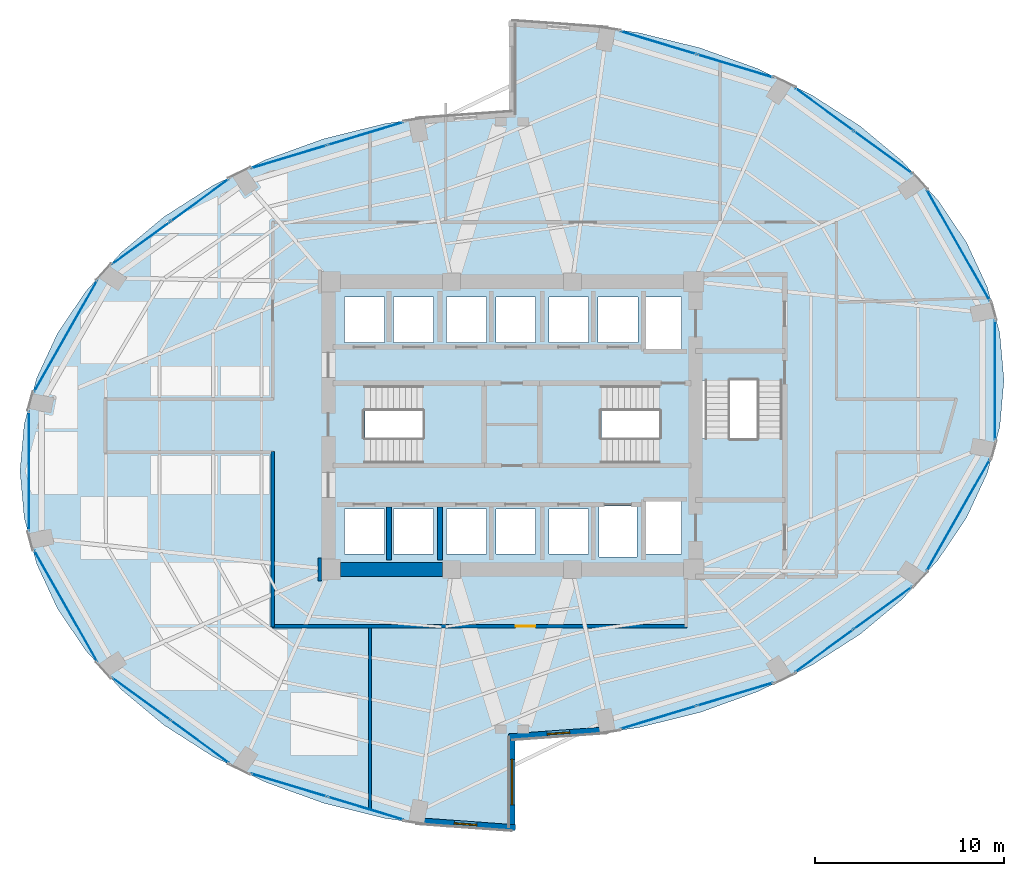
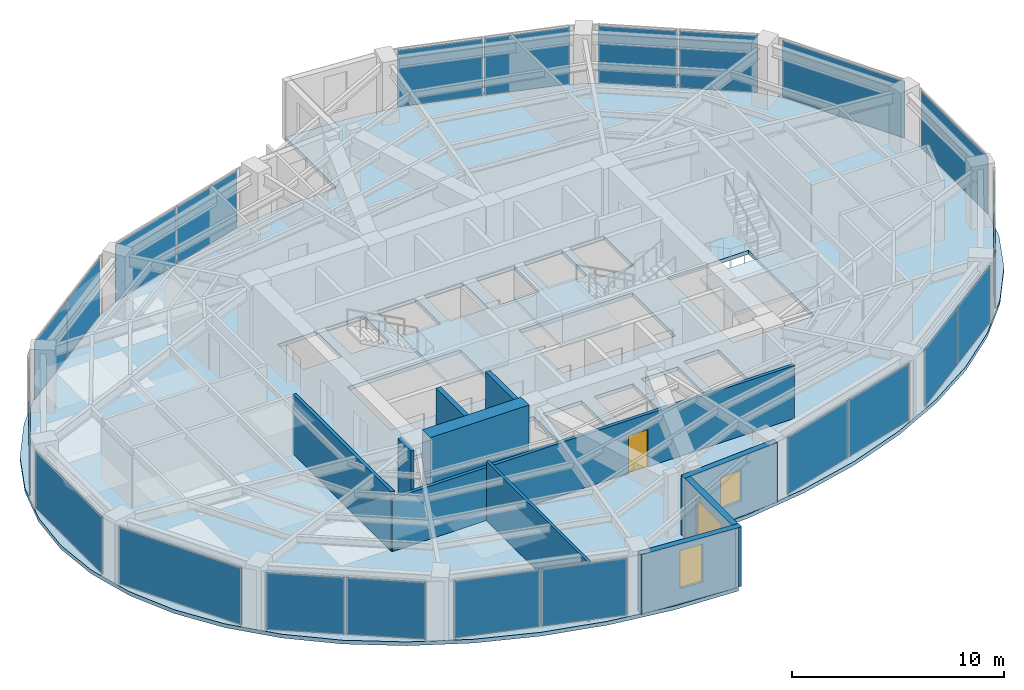
# One storey, part 18 of 23: 22 plates, 10 walls, 4 slabs, 3 windows, 1 door, 4 openings, 17 elements without a shape of their own.
"""IFC4 building model written with IfcOpenShell, lengths in metres."""

import ifcopenshell
import ifcopenshell.guid

model = None  # the IFC model being written
_history = None  # IfcOwnerHistory: only IFC2X3 demands one
_inside = {}  # id of a spatial element -> (the spatial element, [elements in it])
_under = {}  # id of a project, library or spatial element -> (it, [spatial elements below it])
_declared = {}  # id of a project -> (the project, [libraries it declares])
_typed = {}  # id of a type object -> (the type object, [elements of that type])
_made_of = {}  # id of a material, layer set ... -> (it, [elements and type objects made of it])


def new_model(schema):
    """Start an empty IFC model of exactly this schema.

    Asked for "IFC4X3", IfcOpenShell would pick the latest addendum, in which some entities
    have other attributes; the version numbers below select the first issue.
    IFC2X3 requires an IfcOwnerHistory on every rooted entity: one is made here for all.
    """
    global model, _history
    if schema == "IFC4X3":
        model = ifcopenshell.file(schema_version=(4, 3, 0, 0))
    else:
        model = ifcopenshell.file(schema=schema)
    _inside.clear()
    _under.clear()
    _declared.clear()
    _typed.clear()
    _made_of.clear()
    _history = None
    if model.schema == "IFC2X3":
        org = make("IfcOrganization", Name="unknown")
        user = make(
            "IfcPersonAndOrganization",
            ThePerson=make("IfcPerson", FamilyName="unknown"),
            TheOrganization=org,
        )
        app = make(
            "IfcApplication",
            ApplicationDeveloper=org,
            Version="unknown",
            ApplicationFullName="unknown",
            ApplicationIdentifier="unknown",
        )
        _history = make(
            "IfcOwnerHistory",
            OwningUser=user,
            OwningApplication=app,
            ChangeAction="ADDED",
            CreationDate=0,
        )
    return model


def make(cls, **values):
    """One entity of the class cls with the attributes given. An attribute that is None is left unset."""
    return model.create_entity(
        cls, **{name: value for name, value in values.items() if value is not None}
    )


def rooted(cls, **values):
    """An entity with a GlobalId (a new one), such as an element, a storey or a relation."""
    return make(cls, GlobalId=ifcopenshell.guid.new(), OwnerHistory=_history, **values)


def si_unit(unit_type, name, prefix=None):
    """IfcSIUnit, for example si_unit("LENGTHUNIT", "METRE", prefix="MILLI")."""
    return make("IfcSIUnit", UnitType=unit_type, Prefix=prefix, Name=name)


def assignment(units):
    """IfcUnitAssignment: the units of a project."""
    return None if units is None else make("IfcUnitAssignment", Units=units)


def point(xyz):
    """IfcCartesianPoint."""
    return None if xyz is None else make("IfcCartesianPoint", Coordinates=xyz)


def direction(xyz):
    """IfcDirection."""
    return None if xyz is None else make("IfcDirection", DirectionRatios=xyz)


def frame(location, z_axis=None, x_axis=None):
    """IfcAxis2Placement3D, a coordinate frame: its origin and axes. An axis left out is left unset."""
    return make(
        "IfcAxis2Placement3D",
        Location=point(location),
        Axis=direction(z_axis),
        RefDirection=direction(x_axis),
    )


def frame_2d(location, x_axis=None):
    """IfcAxis2Placement2D, a coordinate frame in the plane: its origin and x axis."""
    return make(
        "IfcAxis2Placement2D", Location=point(location), RefDirection=direction(x_axis)
    )


def origin():
    """The frame at (0, 0, 0) with its axes left unset."""
    return frame((0.0, 0.0, 0.0))


def origin_2d():
    """The frame at (0, 0) in the plane with its x axis left unset."""
    return frame_2d((0.0, 0.0))


def place(relative_to, where):
    """IfcLocalPlacement: puts the frame where relative to a parent placement (None: the world)."""
    return make(
        "IfcLocalPlacement", PlacementRelTo=relative_to, RelativePlacement=where
    )


def context(
    kind, dimensions, precision=None, world=None, true_north=None, identifier=None
):
    """IfcGeometricRepresentationContext, for example the 3D "Model" context."""
    return make(
        "IfcGeometricRepresentationContext",
        ContextIdentifier=identifier,
        ContextType=kind,
        CoordinateSpaceDimension=dimensions,
        Precision=precision,
        WorldCoordinateSystem=world,
        TrueNorth=true_north,
    )


def subcontext(parent, identifier, kind, view, scale=None):
    """IfcGeometricRepresentationSubContext, for example "Body" below "Model"."""
    return make(
        "IfcGeometricRepresentationSubContext",
        ContextIdentifier=identifier,
        ContextType=kind,
        ParentContext=parent,
        TargetScale=scale,
        TargetView=view,
    )


def project(units=None, contexts=None):
    """IfcProject with its units and contexts."""
    return rooted(
        "IfcProject",
        Name="project",
        RepresentationContexts=contexts,
        UnitsInContext=assignment(units),
    )


def spatial(cls, under=None, at=None, **own):
    """A site, building, storey or space (cls), placed at a placement, below another one or the project."""
    s = rooted(cls, ObjectPlacement=at, **own)
    if under is not None:
        _under.setdefault(under.id(), (under, []))[1].append(s)
    return s


def polyline(points):
    """IfcPolyline through the points."""
    return make("IfcPolyline", Points=[point(p) for p in points])


def profile(cls, at=None, kind="AREA", **sizes):
    """A parametric profile (cls). Its sizes go by their IFC names, for example OverallWidth=200.0."""
    return make(cls, ProfileType=kind, Position=at, **sizes)


def rectangle(**sizes):
    """IfcRectangleProfileDef."""
    return profile("IfcRectangleProfileDef", **sizes)


def outline(outer, holes=None, kind="AREA"):
    """IfcArbitraryClosedProfileDef: a profile drawn as a closed curve; with holes, ...WithVoids."""
    if holes is None:
        return make("IfcArbitraryClosedProfileDef", ProfileType=kind, OuterCurve=outer)
    return make(
        "IfcArbitraryProfileDefWithVoids",
        ProfileType=kind,
        OuterCurve=outer,
        InnerCurves=holes,
    )


def extrude(swept, where, along, depth):
    """IfcExtrudedAreaSolid: the profile swept, set in the frame where, extruded along a direction by depth."""
    return make(
        "IfcExtrudedAreaSolid",
        SweptArea=swept,
        Position=where,
        ExtrudedDirection=direction(along),
        Depth=depth,
    )


def shape(context_of_items, identifier, shape_type, items):
    """IfcShapeRepresentation: the items that make up one representation, for example the "Body"."""
    return make(
        "IfcShapeRepresentation",
        ContextOfItems=context_of_items,
        RepresentationIdentifier=identifier,
        RepresentationType=shape_type,
        Items=items,
    )


def material(Name=None, Category=None):
    """IfcMaterial."""
    return make("IfcMaterial", Name=Name, Category=Category)


def layer(
    of_material, thickness, ventilated=None, Name=None, Category=None, Priority=None
):
    """IfcMaterialLayer: one layer of a wall or slab, of a material (None: an air gap)."""
    return make(
        "IfcMaterialLayer",
        Material=of_material,
        LayerThickness=thickness,
        IsVentilated=ventilated,
        Name=Name,
        Category=Category,
        Priority=Priority,
    )


def layer_set(layers, Name=None):
    """IfcMaterialLayerSet."""
    return make("IfcMaterialLayerSet", MaterialLayers=layers, LayerSetName=Name)


def made_of(thing, what):
    """Note that an element or type object is made of a material, layer set ...; save() writes the relation."""
    if what is not None:
        _made_of.setdefault(what.id(), (what, []))[1].append(thing)
    return thing


def type_object(cls, material=None, **own):
    """A type object (cls), such as IfcWallType, which elements share."""
    return made_of(rooted(cls, **own), material)


def element(
    cls,
    number,
    at=None,
    inside=None,
    cuts=None,
    type_object=None,
    material=None,
    context=None,
    identifier="Body",
    shape_type=None,
    held_by="IfcProductDefinitionShape",
    body=None,
    shapes=None,
    **own,
):
    """One element of the class cls, such as IfcWall. Its Tag is "e" and its number.

    at: its placement. inside: the storey or other place that contains it. cuts: it is an
    opening in that element (IfcRelVoidsElement). A single representation is given by context,
    identifier, shape_type and body (its items); several are given by shapes. held_by: the class
    of the entity that holds the representations. save() writes the other relations.
    """
    e = rooted(cls, Tag="e%d" % number, ObjectPlacement=at, **own)
    if body is not None:
        shapes = [shape(context, identifier, shape_type, body)]
    if shapes is not None:
        e.Representation = make(held_by, Representations=shapes)
    if inside is not None:
        _inside.setdefault(inside.id(), (inside, []))[1].append(e)
    if cuts is not None:
        rooted(
            "IfcRelVoidsElement", RelatingBuildingElement=cuts, RelatedOpeningElement=e
        )
    if type_object is not None:
        _typed.setdefault(type_object.id(), (type_object, []))[1].append(e)
    return made_of(e, material)


def fill(opening, filler):
    """IfcRelFillsElement: the door or window that sits in an opening."""
    return rooted(
        "IfcRelFillsElement",
        RelatingOpeningElement=opening,
        RelatedBuildingElement=filler,
    )


def aggregate(whole, parts):
    """IfcRelAggregates: a whole, such as a stair, and the parts it consists of."""
    return rooted("IfcRelAggregates", RelatingObject=whole, RelatedObjects=parts)


def save(model, path):
    """Write the relations noted so far, then the file.

    IfcRelAggregates (storeys below a building ...), IfcRelContainedInSpatialStructure (elements
    in a storey), IfcRelDefinesByType, IfcRelAssociatesMaterial and IfcRelDeclares: one each for
    every whole, place, type object, material and project.
    """
    for whole, parts in _under.values():
        aggregate(whole, parts)
    for where, things in _inside.values():
        rooted(
            "IfcRelContainedInSpatialStructure",
            RelatedElements=things,
            RelatingStructure=where,
        )
    for kind, things in _typed.values():
        rooted("IfcRelDefinesByType", RelatedObjects=things, RelatingType=kind)
    for what, things in _made_of.values():
        rooted("IfcRelAssociatesMaterial", RelatedObjects=things, RelatingMaterial=what)
    for by, libraries in _declared.values():
        rooted("IfcRelDeclares", RelatingContext=by, RelatedDefinitions=libraries)
    model.write(path)


model = new_model("IFC4")

# Units and contexts
model_context = context("Model", 3, precision=1e-05, world=origin(), true_north=direction((0.0, 1.0)))
body_context = subcontext(model_context, "Body", "Model", "MODEL_VIEW")
ifc_project = project(units=[si_unit("LENGTHUNIT", "METRE"), si_unit("AREAUNIT", "SQUARE_METRE"), si_unit("VOLUMEUNIT", "CUBIC_METRE"), si_unit("PLANEANGLEUNIT", "RADIAN"), si_unit("MASSUNIT", "GRAM", prefix="KILO")], contexts=[model_context])

# Site, building, storey
site_placement = place(None, origin())
site = spatial("IfcSite", under=ifc_project, at=site_placement, CompositionType="ELEMENT")
building_placement = place(site_placement, origin())
building = spatial("IfcBuilding", under=site, at=building_placement, Name="Lazwardi Medical Tower", CompositionType="ELEMENT")
storey_placement = place(building_placement, frame((0.0, 0.0, 125.52001953125)))
storey = spatial("IfcBuildingStorey", under=building, at=storey_placement, Name="L32", CompositionType="ELEMENT", Elevation=125.52001953125)

# Curtain wall, plates
ifc_material_1 = material(Name="Anodised bronze aluminium and solar control glazing", Category="aluminium")
ifc_layer_1 = layer(ifc_material_1, 0.195068359375)
ifc_layer_set_1 = layer_set([ifc_layer_1], Name="Anodised bronze aluminium and solar control glazing")
curtain_wall_type = type_object("IfcCurtainWallType", Name="CW-SYS-03", PredefinedType="NOTDEFINED", material=ifc_layer_set_1)
curtain_wall_1_placement = place(storey_placement, origin())
curtain_wall_1 = element("IfcCurtainWall", 1, at=curtain_wall_1_placement, inside=storey, type_object=curtain_wall_type, Name="L32 Unitised bronze curtain wall CW-03", PredefinedType="NOTDEFINED")
ifc_material_2 = material(Name="Low-e bronze solar control double glazing", Category="glass")
ifc_layer_2 = layer(ifc_material_2, 0.035888671875)
ifc_layer_set_2 = layer_set([ifc_layer_2], Name="Low-e bronze solar control double glazing")
plate_type = type_object("IfcPlateType", Name="PLT-GLZ-01", PredefinedType="CURTAIN_PANEL", material=ifc_layer_set_2)
plate_1_placement = place(storey_placement, frame((43.73974609375, 12.573486328125, 0.07470703125), z_axis=(0.0, 0.0, 1.0), x_axis=(0.957216170558, 0.28937381157, 0.0)))
plate_1 = element("IfcPlate", 2, at=plate_1_placement, type_object=plate_type, Name="CW-03 panel 1.1", PredefinedType="CURTAIN_PANEL", context=body_context, shape_type="SweptSolid", body=[
    extrude(rectangle(XDim=4.16552734375, YDim=0.035888671875, at=origin_2d()), origin(), (0.0, 0.0, 1.0), 3.278076171875),
])
plate_2_placement = place(storey_placement, frame((47.798828125, 13.800537109375, 0.07470703125), z_axis=(0.0, 0.0, 1.0), x_axis=(0.957216170558, 0.28937381157, 0.0)))
plate_2 = element("IfcPlate", 3, at=plate_2_placement, type_object=plate_type, Name="CW-03 panel 2.1", PredefinedType="CURTAIN_PANEL", context=body_context, shape_type="SweptSolid", body=[
    extrude(rectangle(XDim=4.16552734375, YDim=0.035888671875, at=origin_2d()), origin(), (0.0, 0.0, 1.0), 3.278076171875),
])
aggregate(curtain_wall_1, [plate_1, plate_2])

curtain_wall_2_placement = place(storey_placement, origin())
curtain_wall_2 = element("IfcCurtainWall", 4, at=curtain_wall_2_placement, inside=storey, type_object=curtain_wall_type, Name="L32 Unitised bronze curtain wall CW-03", PredefinedType="NOTDEFINED")
plate_3_placement = place(storey_placement, frame((52.4990234375, 16.093017578125, 0.07470703125), z_axis=(0.0, 0.0, 1.0), x_axis=(0.807745837639, 0.589530882802, 0.0)))
plate_3 = element("IfcPlate", 5, at=plate_3_placement, type_object=plate_type, Name="CW-03 panel 1.1", PredefinedType="CURTAIN_PANEL", context=body_context, shape_type="SweptSolid", body=[
    extrude(rectangle(XDim=3.767578125, YDim=0.035888671875, at=origin_2d()), origin(), (0.0, 0.0, 1.0), 3.278076171875),
])
plate_4_placement = place(storey_placement, frame((55.60302734375, 18.3583984375, 0.07470703125), z_axis=(0.0, 0.0, 1.0), x_axis=(0.807745837639, 0.589530882802, 0.0)))
plate_4 = element("IfcPlate", 6, at=plate_4_placement, type_object=plate_type, Name="CW-03 panel 2.1", PredefinedType="CURTAIN_PANEL", context=body_context, shape_type="SweptSolid", body=[
    extrude(rectangle(XDim=3.767578125, YDim=0.035888671875, at=origin_2d()), origin(), (0.0, 0.0, 1.0), 3.278076171875),
])
aggregate(curtain_wall_2, [plate_3, plate_4])

# Curtain wall, plate
curtain_wall_3_placement = place(storey_placement, origin())
curtain_wall_3 = element("IfcCurtainWall", 7, at=curtain_wall_3_placement, inside=storey, type_object=curtain_wall_type, Name="L32 Unitised bronze curtain wall CW-03", PredefinedType="NOTDEFINED")
plate_5_placement = place(storey_placement, frame((59.5849609375, 23.270263671875, 0.07470703125), z_axis=(0.0, 0.0, 1.0), x_axis=(0.493603140041, 0.869687265712, 0.0)))
plate_5 = element("IfcPlate", 8, at=plate_5_placement, type_object=plate_type, Name="CW-03 panel 1.1", PredefinedType="CURTAIN_PANEL", context=body_context, shape_type="SweptSolid", body=[
    extrude(rectangle(XDim=6.722900390625, YDim=0.035888671875, at=origin_2d()), origin(), (0.0, 0.0, 1.0), 3.278076171875),
])
aggregate(curtain_wall_3, [plate_5])

curtain_wall_4_placement = place(storey_placement, origin())
curtain_wall_4 = element("IfcCurtainWall", 9, at=curtain_wall_4_placement, inside=storey, type_object=curtain_wall_type, Name="L32 Unitised bronze curtain wall CW-03", PredefinedType="NOTDEFINED")
plate_6_placement = place(storey_placement, frame((61.528076171875, 30.39990234375, 0.07470703125), z_axis=(0.0, 0.0, 1.0), x_axis=(0.0, 1.0, 0.0)))
plate_6 = element("IfcPlate", 10, at=plate_6_placement, type_object=plate_type, Name="CW-03 panel 1.1", PredefinedType="CURTAIN_PANEL", context=body_context, shape_type="SweptSolid", body=[
    extrude(rectangle(XDim=6.31982421875, YDim=0.035888671875, at=origin_2d()), origin(), (0.0, 0.0, 1.0), 3.278076171875),
])
aggregate(curtain_wall_4, [plate_6])

curtain_wall_5_placement = place(storey_placement, origin())
curtain_wall_5 = element("IfcCurtainWall", 11, at=curtain_wall_5_placement, inside=storey, type_object=curtain_wall_type, Name="L32 Unitised bronze curtain wall CW-03", PredefinedType="NOTDEFINED")
plate_7_placement = place(storey_placement, frame((59.5849609375, 37.52978515625, 0.07470703125), z_axis=(0.0, 0.0, 1.0), x_axis=(-0.493603140041, 0.869687265712, 0.0)))
plate_7 = element("IfcPlate", 12, at=plate_7_placement, type_object=plate_type, Name="CW-03 panel 1.1", PredefinedType="CURTAIN_PANEL", context=body_context, shape_type="SweptSolid", body=[
    extrude(rectangle(XDim=6.722900390625, YDim=0.035888671875, at=origin_2d()), origin(), (0.0, 0.0, 1.0), 3.278076171875),
])
aggregate(curtain_wall_5, [plate_7])

# Curtain wall, plates
curtain_wall_6_placement = place(storey_placement, origin())
curtain_wall_6 = element("IfcCurtainWall", 13, at=curtain_wall_6_placement, inside=storey, type_object=curtain_wall_type, Name="L32 Unitised bronze curtain wall CW-03", PredefinedType="NOTDEFINED")
plate_8_placement = place(storey_placement, frame((55.60302734375, 42.441650390625, 0.07470703125), z_axis=(0.0, 0.0, 1.0), x_axis=(-0.807745837639, 0.589530882802, 0.0)))
plate_8 = element("IfcPlate", 14, at=plate_8_placement, type_object=plate_type, Name="CW-03 panel 1.1", PredefinedType="CURTAIN_PANEL", context=body_context, shape_type="SweptSolid", body=[
    extrude(rectangle(XDim=3.767578125, YDim=0.035888671875, at=origin_2d()), origin(), (0.0, 0.0, 1.0), 3.278076171875),
])
plate_9_placement = place(storey_placement, frame((52.4990234375, 44.70703125, 0.07470703125), z_axis=(0.0, 0.0, 1.0), x_axis=(-0.807745837639, 0.589530882802, 0.0)))
plate_9 = element("IfcPlate", 15, at=plate_9_placement, type_object=plate_type, Name="CW-03 panel 2.1", PredefinedType="CURTAIN_PANEL", context=body_context, shape_type="SweptSolid", body=[
    extrude(rectangle(XDim=3.767578125, YDim=0.035888671875, at=origin_2d()), origin(), (0.0, 0.0, 1.0), 3.278076171875),
])
aggregate(curtain_wall_6, [plate_8, plate_9])

curtain_wall_7_placement = place(storey_placement, origin())
curtain_wall_7 = element("IfcCurtainWall", 16, at=curtain_wall_7_placement, inside=storey, type_object=curtain_wall_type, Name="L32 Unitised bronze curtain wall CW-03", PredefinedType="NOTDEFINED")
plate_10_placement = place(storey_placement, frame((47.798828125, 46.99951171875, 0.07470703125), z_axis=(0.0, 0.0, 1.0), x_axis=(-0.957216170558, 0.28937381157, 0.0)))
plate_10 = element("IfcPlate", 17, at=plate_10_placement, type_object=plate_type, Name="CW-03 panel 1.1", PredefinedType="CURTAIN_PANEL", context=body_context, shape_type="SweptSolid", body=[
    extrude(rectangle(XDim=4.16552734375, YDim=0.035888671875, at=origin_2d()), origin(), (0.0, 0.0, 1.0), 3.278076171875),
])
plate_11_placement = place(storey_placement, frame((43.73974609375, 48.2265625, 0.07470703125), z_axis=(0.0, 0.0, 1.0), x_axis=(-0.957216170558, 0.28937381157, 0.0)))
plate_11 = element("IfcPlate", 18, at=plate_11_placement, type_object=plate_type, Name="CW-03 panel 2.1", PredefinedType="CURTAIN_PANEL", context=body_context, shape_type="SweptSolid", body=[
    extrude(rectangle(XDim=4.16552734375, YDim=0.035888671875, at=origin_2d()), origin(), (0.0, 0.0, 1.0), 3.278076171875),
])
aggregate(curtain_wall_7, [plate_10, plate_11])

curtain_wall_8_placement = place(storey_placement, origin())
curtain_wall_8 = element("IfcCurtainWall", 19, at=curtain_wall_8_placement, inside=storey, type_object=curtain_wall_type, Name="L32 Unitised bronze curtain wall CW-03", PredefinedType="NOTDEFINED")
plate_12_placement = place(storey_placement, frame((28.26025390625, 43.426513671875, 0.07470703125), z_axis=(0.0, 0.0, 1.0), x_axis=(-0.957216170558, -0.28937381157, 0.0)))
plate_12 = element("IfcPlate", 20, at=plate_12_placement, type_object=plate_type, Name="CW-03 panel 1.1", PredefinedType="CURTAIN_PANEL", context=body_context, shape_type="SweptSolid", body=[
    extrude(rectangle(XDim=4.16552734375, YDim=0.035888671875, at=origin_2d()), origin(), (0.0, 0.0, 1.0), 3.278076171875),
])
plate_13_placement = place(storey_placement, frame((24.201171875, 42.199462890625, 0.07470703125), z_axis=(0.0, 0.0, 1.0), x_axis=(-0.957216170558, -0.28937381157, 0.0)))
plate_13 = element("IfcPlate", 21, at=plate_13_placement, type_object=plate_type, Name="CW-03 panel 2.1", PredefinedType="CURTAIN_PANEL", context=body_context, shape_type="SweptSolid", body=[
    extrude(rectangle(XDim=4.16552734375, YDim=0.035888671875, at=origin_2d()), origin(), (0.0, 0.0, 1.0), 3.278076171875),
])
aggregate(curtain_wall_8, [plate_12, plate_13])

curtain_wall_9_placement = place(storey_placement, origin())
curtain_wall_9 = element("IfcCurtainWall", 22, at=curtain_wall_9_placement, inside=storey, type_object=curtain_wall_type, Name="L32 Unitised bronze curtain wall CW-03", PredefinedType="NOTDEFINED")
plate_14_placement = place(storey_placement, frame((19.5009765625, 39.906982421875, 0.07470703125), z_axis=(0.0, 0.0, 1.0), x_axis=(-0.807745837639, -0.589530882802, 0.0)))
plate_14 = element("IfcPlate", 23, at=plate_14_placement, type_object=plate_type, Name="CW-03 panel 1.1", PredefinedType="CURTAIN_PANEL", context=body_context, shape_type="SweptSolid", body=[
    extrude(rectangle(XDim=3.767578125, YDim=0.035888671875, at=origin_2d()), origin(), (0.0, 0.0, 1.0), 3.278076171875),
])
plate_15_placement = place(storey_placement, frame((16.39697265625, 37.6416015625, 0.07470703125), z_axis=(0.0, 0.0, 1.0), x_axis=(-0.807745837639, -0.589530882802, 0.0)))
plate_15 = element("IfcPlate", 24, at=plate_15_placement, type_object=plate_type, Name="CW-03 panel 2.1", PredefinedType="CURTAIN_PANEL", context=body_context, shape_type="SweptSolid", body=[
    extrude(rectangle(XDim=3.767578125, YDim=0.035888671875, at=origin_2d()), origin(), (0.0, 0.0, 1.0), 3.278076171875),
])
aggregate(curtain_wall_9, [plate_14, plate_15])

# Curtain wall, plate
curtain_wall_10_placement = place(storey_placement, origin())
curtain_wall_10 = element("IfcCurtainWall", 25, at=curtain_wall_10_placement, inside=storey, type_object=curtain_wall_type, Name="L32 Unitised bronze curtain wall CW-03", PredefinedType="NOTDEFINED")
plate_16_placement = place(storey_placement, frame((12.4150390625, 32.729736328125, 0.07470703125), z_axis=(0.0, 0.0, 1.0), x_axis=(-0.493603140041, -0.869687265712, 0.0)))
plate_16 = element("IfcPlate", 26, at=plate_16_placement, type_object=plate_type, Name="CW-03 panel 1.1", PredefinedType="CURTAIN_PANEL", context=body_context, shape_type="SweptSolid", body=[
    extrude(rectangle(XDim=6.722900390625, YDim=0.035888671875, at=origin_2d()), origin(), (0.0, 0.0, 1.0), 3.278076171875),
])
aggregate(curtain_wall_10, [plate_16])

curtain_wall_11_placement = place(storey_placement, origin())
curtain_wall_11 = element("IfcCurtainWall", 27, at=curtain_wall_11_placement, inside=storey, type_object=curtain_wall_type, Name="L32 Unitised bronze curtain wall CW-03", PredefinedType="NOTDEFINED")
plate_17_placement = place(storey_placement, frame((10.471923828125, 25.60009765625, 0.07470703125), z_axis=(0.0, 0.0, 1.0), x_axis=(0.0, -1.0, 0.0)))
plate_17 = element("IfcPlate", 28, at=plate_17_placement, type_object=plate_type, Name="CW-03 panel 1.1", PredefinedType="CURTAIN_PANEL", context=body_context, shape_type="SweptSolid", body=[
    extrude(rectangle(XDim=6.31982421875, YDim=0.035888671875, at=origin_2d()), origin(), (0.0, 0.0, 1.0), 3.278076171875),
])
aggregate(curtain_wall_11, [plate_17])

curtain_wall_12_placement = place(storey_placement, origin())
curtain_wall_12 = element("IfcCurtainWall", 29, at=curtain_wall_12_placement, inside=storey, type_object=curtain_wall_type, Name="L32 Unitised bronze curtain wall CW-03", PredefinedType="NOTDEFINED")
plate_18_placement = place(storey_placement, frame((12.4150390625, 18.47021484375, 0.07470703125), z_axis=(0.0, 0.0, 1.0), x_axis=(0.493603140041, -0.869687265712, 0.0)))
plate_18 = element("IfcPlate", 30, at=plate_18_placement, type_object=plate_type, Name="CW-03 panel 1.1", PredefinedType="CURTAIN_PANEL", context=body_context, shape_type="SweptSolid", body=[
    extrude(rectangle(XDim=6.722900390625, YDim=0.035888671875, at=origin_2d()), origin(), (0.0, 0.0, 1.0), 3.278076171875),
])
aggregate(curtain_wall_12, [plate_18])

# Curtain wall, plates
curtain_wall_13_placement = place(storey_placement, origin())
curtain_wall_13 = element("IfcCurtainWall", 31, at=curtain_wall_13_placement, inside=storey, type_object=curtain_wall_type, Name="L32 Unitised bronze curtain wall CW-03", PredefinedType="NOTDEFINED")
plate_19_placement = place(storey_placement, frame((16.39697265625, 13.558349609375, 0.07470703125), z_axis=(0.0, 0.0, 1.0), x_axis=(0.807745837639, -0.589530882802, 0.0)))
plate_19 = element("IfcPlate", 32, at=plate_19_placement, type_object=plate_type, Name="CW-03 panel 1.1", PredefinedType="CURTAIN_PANEL", context=body_context, shape_type="SweptSolid", body=[
    extrude(rectangle(XDim=3.767578125, YDim=0.035888671875, at=origin_2d()), origin(), (0.0, 0.0, 1.0), 3.278076171875),
])
plate_20_placement = place(storey_placement, frame((19.5009765625, 11.29296875, 0.07470703125), z_axis=(0.0, 0.0, 1.0), x_axis=(0.807745837639, -0.589530882802, 0.0)))
plate_20 = element("IfcPlate", 33, at=plate_20_placement, type_object=plate_type, Name="CW-03 panel 2.1", PredefinedType="CURTAIN_PANEL", context=body_context, shape_type="SweptSolid", body=[
    extrude(rectangle(XDim=3.767578125, YDim=0.035888671875, at=origin_2d()), origin(), (0.0, 0.0, 1.0), 3.278076171875),
])
aggregate(curtain_wall_13, [plate_19, plate_20])

curtain_wall_14_placement = place(storey_placement, origin())
curtain_wall_14 = element("IfcCurtainWall", 34, at=curtain_wall_14_placement, inside=storey, type_object=curtain_wall_type, Name="L32 Unitised bronze curtain wall CW-03", PredefinedType="NOTDEFINED")
plate_21_placement = place(storey_placement, frame((24.201171875, 9.00048828125, 0.07470703125), z_axis=(0.0, 0.0, 1.0), x_axis=(0.957216170558, -0.28937381157, 0.0)))
plate_21 = element("IfcPlate", 35, at=plate_21_placement, type_object=plate_type, Name="CW-03 panel 1.1", PredefinedType="CURTAIN_PANEL", context=body_context, shape_type="SweptSolid", body=[
    extrude(rectangle(XDim=4.16552734375, YDim=0.035888671875, at=origin_2d()), origin(), (0.0, 0.0, 1.0), 3.278076171875),
])
plate_22_placement = place(storey_placement, frame((28.26025390625, 7.7734375, 0.07470703125), z_axis=(0.0, 0.0, 1.0), x_axis=(0.957216170558, -0.28937381157, 0.0)))
plate_22 = element("IfcPlate", 36, at=plate_22_placement, type_object=plate_type, Name="CW-03 panel 2.1", PredefinedType="CURTAIN_PANEL", context=body_context, shape_type="SweptSolid", body=[
    extrude(rectangle(XDim=4.16552734375, YDim=0.035888671875, at=origin_2d()), origin(), (0.0, 0.0, 1.0), 3.278076171875),
])
aggregate(curtain_wall_14, [plate_21, plate_22])

# Stair, slab
ifc_material_3 = material(Name="Concrete C45/55", Category="concrete")
stair_type = type_object("IfcStairType", Name="STR-WRD", PredefinedType="HALF_TURN_STAIR", material=ifc_material_3)
stair_1_placement = place(storey_placement, origin())
stair_1 = element("IfcStair", 37, at=stair_1_placement, inside=storey, type_object=stair_type, Name="L32 Protected Exit Stair ST1", PredefinedType="HALF_TURN_STAIR")
ifc_layer_3 = layer(ifc_material_3, 0.199951171875)
ifc_layer_set_3 = layer_set([ifc_layer_3], Name="Concrete C45/55")
slab_type_1 = type_object("IfcSlabType", Name="SLB-LND-190", PredefinedType="LANDING", material=ifc_layer_set_3)
slab_1_placement = place(storey_placement, frame((0.0, 0.0, 1.6240234375)))
slab_1 = element("IfcSlab", 38, at=slab_1_placement, type_object=slab_type_1, Name="ST1 landing 1", PredefinedType="LANDING", context=body_context, shape_type="SweptSolid", body=[
    extrude(outline(polyline([(31.27490234375, 25.840087890625), (34.580078125, 25.840087890625), (34.580078125, 30.280029296875), (31.27490234375, 30.280029296875), (31.27490234375, 25.840087890625)])), origin(), (0.0, 0.0, 1.0), 0.199951171875),
])
aggregate(stair_1, [slab_1])

stair_2_placement = place(storey_placement, origin())
stair_2 = element("IfcStair", 39, at=stair_2_placement, inside=storey, type_object=stair_type, Name="L32 Protected Exit Stair ST2", PredefinedType="HALF_TURN_STAIR")
slab_2_placement = place(storey_placement, frame((0.0, 0.0, 1.6240234375)))
slab_2 = element("IfcSlab", 40, at=slab_2_placement, type_object=slab_type_1, Name="ST2 landing 1", PredefinedType="LANDING", context=body_context, shape_type="SweptSolid", body=[
    extrude(outline(polyline([(40.72509765625, 30.280029296875), (37.419921875, 30.280029296875), (37.419921875, 25.840087890625), (40.72509765625, 25.840087890625), (40.72509765625, 30.280029296875)])), origin(), (0.0, 0.0, 1.0), 0.199951171875),
])
aggregate(stair_2, [slab_2])

stair_3_placement = place(storey_placement, origin())
stair_3 = element("IfcStair", 41, at=stair_3_placement, inside=storey, type_object=stair_type, Name="L32 Protected Exit Stair ST3", PredefinedType="HALF_TURN_STAIR")
slab_3_placement = place(storey_placement, frame((0.0, 0.0, 1.6240234375)))
slab_3 = element("IfcSlab", 42, at=slab_3_placement, type_object=slab_type_1, Name="ST3 landing 1", PredefinedType="LANDING", context=body_context, shape_type="SweptSolid", body=[
    extrude(outline(polyline([(45.860107421875, 27.324951171875), (45.860107421875, 24.02001953125), (50.4599609375, 24.02001953125), (50.4599609375, 27.324951171875), (45.860107421875, 27.324951171875)])), origin(), (0.0, 0.0, 1.0), 0.199951171875),
])
aggregate(stair_3, [slab_3])

# Slab
ifc_material_4 = material(Name="Concrete C50/60", Category="concrete")
ifc_layer_4 = layer(ifc_material_4, 0.219970703125)
ifc_layer_set_4 = layer_set([ifc_layer_4], Name="Concrete C50/60")
slab_type_2 = type_object("IfcSlabType", Name="SLB-WRD-220", PredefinedType="FLOOR", material=ifc_layer_set_4)
slab_4_placement = place(storey_placement, frame((0.0, 0.0, -0.219970703125)))
element("IfcSlab", 43, at=slab_4_placement, inside=storey, type_object=slab_type_2, Name="Structural floor slab SF-03 L32", PredefinedType="FLOOR", context=body_context, shape_type="SweptSolid", body=[
    extrude(outline(polyline([(11.97900390625, 32.87109375), (10.885986328125, 30.517578125), (10.222412109375, 28.080078125), (10.0, 25.60009765625), (10.222412109375, 23.1201171875), (10.885986328125, 20.682373046875), (11.97900390625, 18.3291015625), (13.4833984375, 16.10009765625), (15.372802734375, 14.033447265625), (17.615234375, 12.1650390625), (20.172119140625, 10.5263671875), (23.0, 9.1455078125), (26.05029296875, 8.04638671875), (29.270751953125, 7.247314453125), (32.606201171875, 6.762451171875), (36.0, 6.60009765625), (36.0, 11.39990234375), (39.393798828125, 11.5625), (42.729248046875, 12.04736328125), (45.94970703125, 12.84619140625), (49.0, 13.945556640625), (51.827880859375, 15.326416015625), (54.384765625, 16.965087890625), (56.627197265625, 18.83349609375), (58.5166015625, 20.89990234375), (60.02099609375, 23.12890625), (61.114013671875, 25.482421875), (61.777587890625, 27.919921875), (62.0, 30.39990234375), (61.777587890625, 32.8798828125), (61.114013671875, 35.317626953125), (60.02099609375, 37.6708984375), (58.5166015625, 39.89990234375), (56.627197265625, 41.966552734375), (54.384765625, 43.8349609375), (51.827880859375, 45.4736328125), (49.0, 46.8544921875), (45.94970703125, 47.95361328125), (42.729248046875, 48.752685546875), (39.393798828125, 49.237548828125), (36.0, 49.39990234375), (36.0, 44.60009765625), (32.606201171875, 44.4375), (29.270751953125, 43.95263671875), (26.05029296875, 43.15380859375), (23.0, 42.054443359375), (20.172119140625, 40.673583984375), (17.615234375, 39.034912109375), (15.372802734375, 37.16650390625), (13.4833984375, 35.10009765625), (11.97900390625, 32.87109375)]), holes=[polyline([(28.22509765625, 26.02001953125), (28.22509765625, 30.10009765625), (34.39990234375, 30.10009765625), (34.39990234375, 26.02001953125), (28.22509765625, 26.02001953125)]), polyline([(37.60009765625, 30.10009765625), (43.77490234375, 30.10009765625), (43.77490234375, 26.02001953125), (37.60009765625, 26.02001953125), (37.60009765625, 30.10009765625)]), polyline([(50.280029296875, 30.375), (50.280029296875, 24.179931640625), (45.840087890625, 24.179931640625), (45.840087890625, 30.375), (50.280029296875, 30.375)]), polyline([(29.25, 32.39990234375), (27.14990234375, 32.39990234375), (27.14990234375, 34.800048828125), (29.25, 34.800048828125), (29.25, 32.39990234375)]), polyline([(29.75, 32.39990234375), (29.75, 34.800048828125), (31.85009765625, 34.800048828125), (31.85009765625, 32.39990234375), (29.75, 32.39990234375)]), polyline([(27.14990234375, 23.60009765625), (29.25, 23.60009765625), (29.25, 21.199951171875), (27.14990234375, 21.199951171875), (27.14990234375, 23.60009765625)]), polyline([(31.85009765625, 23.60009765625), (31.85009765625, 21.199951171875), (29.75, 21.199951171875), (29.75, 23.60009765625), (31.85009765625, 23.60009765625)]), polyline([(34.64990234375, 32.39990234375), (32.550048828125, 32.39990234375), (32.550048828125, 34.800048828125), (34.64990234375, 34.800048828125), (34.64990234375, 32.39990234375)]), polyline([(35.14990234375, 32.39990234375), (35.14990234375, 34.800048828125), (37.25, 34.800048828125), (37.25, 32.39990234375), (35.14990234375, 32.39990234375)]), polyline([(32.550048828125, 23.60009765625), (34.64990234375, 23.60009765625), (34.64990234375, 21.199951171875), (32.550048828125, 21.199951171875), (32.550048828125, 23.60009765625)]), polyline([(37.25, 23.60009765625), (37.25, 21.199951171875), (35.14990234375, 21.199951171875), (35.14990234375, 23.60009765625), (37.25, 23.60009765625)]), polyline([(40.050048828125, 32.39990234375), (37.949951171875, 32.39990234375), (37.949951171875, 34.800048828125), (40.050048828125, 34.800048828125), (40.050048828125, 32.39990234375)]), polyline([(40.550048828125, 32.39990234375), (40.550048828125, 34.800048828125), (42.64990234375, 34.800048828125), (42.64990234375, 32.39990234375), (40.550048828125, 32.39990234375)]), polyline([(37.949951171875, 23.60009765625), (40.050048828125, 23.60009765625), (40.050048828125, 21.199951171875), (37.949951171875, 21.199951171875), (37.949951171875, 23.60009765625)]), polyline([(44.949951171875, 34.800048828125), (44.949951171875, 32.0), (43.050048828125, 32.0), (43.050048828125, 34.800048828125), (44.949951171875, 34.800048828125)]), polyline([(44.949951171875, 21.199951171875), (43.050048828125, 21.199951171875), (43.050048828125, 24.0), (44.949951171875, 24.0), (44.949951171875, 21.199951171875)]), polyline([(40.60009765625, 21.050048828125), (40.60009765625, 23.75), (42.60009765625, 23.75), (42.60009765625, 21.050048828125), (40.60009765625, 21.050048828125)])]), origin(), (0.0, 0.0, 1.0), 0.219970703125),
])

# Wall
ifc_material_5 = material(Name="Fire-rated gypsum board on steel stud", Category="steel")
ifc_layer_5 = layer(ifc_material_5, 0.179931640625)
ifc_layer_set_5 = layer_set([ifc_layer_5], Name="Fire-rated gypsum board on steel stud")
wall_type_1 = type_object("IfcWallType", Name="WL-COR-180", PredefinedType="PARTITIONING", material=ifc_layer_set_5)
wall_1_placement = place(storey_placement, frame((25.830078125, 21.010009765625, 0.0), z_axis=(0.0, 0.0, 1.0), x_axis=(0.0, -1.0, 0.0)))
element("IfcWall", 44, at=wall_1_placement, inside=storey, type_object=wall_type_1, Name="L32 Corridor partition 12", PredefinedType="PARTITIONING", context=body_context, shape_type="SweptSolid", body=[
    extrude(rectangle(XDim=1.219970703125, YDim=0.179931640625, at=frame_2d((0.60986328125, 0.0))), origin(), (0.0, 0.0, 1.0), 3.427978515625),
])

# Wall, opening, door
wall_2_placement = place(storey_placement, frame((45.239990234375, 17.39990234375, 0.0), z_axis=(0.0, 0.0, 1.0), x_axis=(-1.0, 0.0, 0.0)))
wall_2 = element("IfcWall", 45, at=wall_2_placement, inside=storey, type_object=wall_type_1, Name="L32 Corridor partition 14", PredefinedType="PARTITIONING", context=body_context, shape_type="SweptSolid", body=[
    extrude(rectangle(XDim=21.929931640625, YDim=0.179931640625, at=frame_2d((10.96484375, 0.0))), origin(), (0.0, 0.0, 1.0), 3.052978515625),
])
opening_1_placement = place(wall_2_placement, frame((8.00390625, 0.0, 0.0)))
opening_1 = element("IfcOpeningElement", 46, at=opening_1_placement, cuts=wall_2, Name="Opening D-L32-008", PredefinedType="OPENING", context=body_context, shape_type="SweptSolid", body=[
    extrude(rectangle(XDim=1.050048828125, YDim=2.14990234375, at=frame_2d((0.52490234375, 1.074951171875))), frame((0.0, 0.099853515625, 0.0), z_axis=(0.0, -1.0, 0.0), x_axis=(1.0, 0.0, 0.0)), (0.0, 0.0, 1.0), 0.199951171875),
])
ifc_material_6 = material(Name="Anti-microbial laminate hospital leaf")
door_type = type_object("IfcDoorType", Name="DR-CLN-1050", OperationType="NOTDEFINED", PredefinedType="DOOR", material=ifc_material_6)
door_placement = place(opening_1_placement, origin())
door = element("IfcDoor", 47, at=door_placement, inside=storey, type_object=door_type, Name="L32 Outpatient Clinic Door 02", OperationType="SINGLE_SWING_RIGHT", OverallHeight=2.14990234375, OverallWidth=1.050048828125, PredefinedType="DOOR", context=body_context, shape_type="SweptSolid", body=[
    extrude(rectangle(XDim=1.050048828125, YDim=2.14990234375, at=frame_2d((0.52490234375, 1.074951171875))), frame((0.0, 0.02490234375, 0.0), z_axis=(0.0, -1.0, 0.0), x_axis=(1.0, 0.0, 0.0)), (0.0, 0.0, 1.0), 0.050048828125),
])
fill(opening_1, door)

# Walls
wall_3_placement = place(storey_placement, frame((23.35009765625, 17.360107421875, 0.0), z_axis=(0.0, 0.0, 1.0), x_axis=(0.0, 1.0, 0.0)))
element("IfcWall", 48, at=wall_3_placement, inside=storey, type_object=wall_type_1, Name="L32 Corridor partition 15", PredefinedType="PARTITIONING", context=body_context, shape_type="SweptSolid", body=[
    extrude(rectangle(XDim=9.27978515625, YDim=0.179931640625, at=frame_2d((4.639892578125, 0.0))), origin(), (0.0, 0.0, 1.0), 3.427978515625),
])
ifc_material_7 = material(Name="Concrete C70/85", Category="concrete")
ifc_layer_6 = layer(ifc_material_7, 0.75)
ifc_layer_set_6 = layer_set([ifc_layer_6], Name="Concrete C70/85")
wall_type_2 = type_object("IfcWallType", Name="WL-CORE-750", PredefinedType="SHEAR", material=ifc_layer_set_6)
wall_4_placement = place(storey_placement, frame((26.949951171875, 20.39990234375, 0.0), z_axis=(0.0, 0.0, 1.0), x_axis=(1.0, 0.0, 0.0)))
element("IfcWall", 49, at=wall_4_placement, inside=storey, type_object=wall_type_2, Name="Core wall CW-S2 S1 L32", PredefinedType="SHEAR", context=body_context, shape_type="SweptSolid", body=[
    extrude(rectangle(XDim=5.375, YDim=0.75, at=frame_2d((2.6875, 0.0))), origin(), (0.0, 0.0, 1.0), 3.64794921875),
])

# Wall, opening, window
ifc_material_8 = material(Name="Precast concrete C45/55", Category="concrete")
ifc_layer_7 = layer(ifc_material_8, 0.320068359375)
ifc_layer_set_7 = layer_set([ifc_layer_7], Name="Precast concrete C45/55")
wall_type_3 = type_object("IfcWallType", Name="WL-IWAN-320", PredefinedType="SOLIDWALL", material=ifc_layer_set_7)
wall_5_placement = place(storey_placement, frame((35.820556640625, 11.547119140625, 0.0), z_axis=(0.0, 0.0, 1.0), x_axis=(0.997432364291, 0.071614793619, 0.0)))
wall_5 = element("IfcWall", 50, at=wall_5_placement, inside=storey, type_object=wall_type_3, Name="L32 Iwan Portal Return Wall SE_ret", PredefinedType="SOLIDWALL", context=body_context, shape_type="SweptSolid", body=[
    extrude(rectangle(XDim=5.2841796875, YDim=0.320068359375, at=frame_2d((2.64208984375, 0.0))), origin(), (0.0, 0.0, 1.0), 3.427978515625),
])
opening_2_placement = place(wall_5_placement, frame((2.0419921875, 0.0, 0.85009765625)))
opening_2 = element("IfcOpeningElement", 51, at=opening_2_placement, cuts=wall_5, Name="Opening WN-04", PredefinedType="OPENING", context=body_context, shape_type="SweptSolid", body=[
    extrude(rectangle(XDim=1.199951171875, YDim=1.800048828125, at=frame_2d((0.60009765625, 0.89990234375))), frame((0.0, 0.169921875, 0.0), z_axis=(0.0, -1.0, 0.0), x_axis=(1.0, 0.0, 0.0)), (0.0, 0.0, 1.0), 0.340087890625),
])
window_type_1 = type_object("IfcWindowType", Name="WIN-DRUM-1200", PartitioningType="SINGLE_PANEL", PredefinedType="WINDOW", material=ifc_material_2)
window_1_placement = place(opening_2_placement, origin())
window_1 = element("IfcWindow", 52, at=window_1_placement, inside=storey, type_object=window_type_1, Name="L32 Iwan Slot Window SE_ret", OverallHeight=1.800048828125, OverallWidth=1.199951171875, PartitioningType="SINGLE_PANEL", PredefinedType="WINDOW", context=body_context, shape_type="SweptSolid", body=[
    extrude(rectangle(XDim=1.199951171875, YDim=1.800048828125, at=frame_2d((0.60009765625, 0.89990234375))), frame((0.0, 0.030029296875, 0.0), z_axis=(0.0, -1.0, 0.0), x_axis=(1.0, 0.0, 0.0)), (0.0, 0.0, 1.0), 0.06005859375),
])
fill(opening_2, window_1)

wall_6_placement = place(storey_placement, frame((30.908935546875, 7.12548828125, 0.0), z_axis=(0.0, 0.0, 1.0), x_axis=(0.997431890304, -0.071621394884, 0.0)))
wall_6 = element("IfcWall", 53, at=wall_6_placement, inside=storey, type_object=wall_type_3, Name="L32 Iwan Portal Return Wall SW_ret", PredefinedType="SOLIDWALL", context=body_context, shape_type="SweptSolid", body=[
    extrude(rectangle(XDim=5.28369140625, YDim=0.320068359375, at=frame_2d((2.641845703125, 0.0))), origin(), (0.0, 0.0, 1.0), 3.427978515625),
])
opening_3_placement = place(wall_6_placement, frame((2.041748046875, 0.0, 0.85009765625)))
opening_3 = element("IfcOpeningElement", 54, at=opening_3_placement, cuts=wall_6, Name="Opening WN-01", PredefinedType="OPENING", context=body_context, shape_type="SweptSolid", body=[
    extrude(rectangle(XDim=1.199951171875, YDim=2.199951171875, at=frame_2d((0.60009765625, 1.10009765625))), frame((0.0, 0.169921875, 0.0), z_axis=(0.0, -1.0, 0.0), x_axis=(1.0, 0.0, 0.0)), (0.0, 0.0, 1.0), 0.340087890625),
])
window_type_2 = type_object("IfcWindowType", Name="WIN-IW-1200", PartitioningType="SINGLE_PANEL", PredefinedType="WINDOW", material=ifc_material_2)
window_2_placement = place(opening_3_placement, origin())
window_2 = element("IfcWindow", 55, at=window_2_placement, inside=storey, type_object=window_type_2, Name="L32 Iwan Slot Window SW_ret", OverallHeight=2.199951171875, OverallWidth=1.199951171875, PartitioningType="SINGLE_PANEL", PredefinedType="WINDOW", context=body_context, shape_type="SweptSolid", body=[
    extrude(rectangle(XDim=1.199951171875, YDim=2.199951171875, at=frame_2d((0.60009765625, 1.10009765625))), frame((0.0, 0.030029296875, 0.0), z_axis=(0.0, -1.0, 0.0), x_axis=(1.0, 0.0, 0.0)), (0.0, 0.0, 1.0), 0.06005859375),
])
fill(opening_3, window_2)

wall_7_placement = place(storey_placement, frame((36.0, 6.60009765625, 0.0), z_axis=(0.0, 0.0, 1.0), x_axis=(0.0, 1.0, 0.0)))
wall_7 = element("IfcWall", 56, at=wall_7_placement, inside=storey, type_object=wall_type_3, Name="L32 Turquoise Tilework Iwan Seam Wall S_seam", PredefinedType="SOLIDWALL", context=body_context, shape_type="SweptSolid", body=[
    extrude(rectangle(XDim=5.119873046875, YDim=0.320068359375, at=frame_2d((2.56005859375, 0.0))), origin(), (0.0, 0.0, 1.0), 3.427978515625),
])
opening_4_placement = place(wall_7_placement, frame((1.360107421875, 0.0, 0.840087890625)))
opening_4 = element("IfcOpeningElement", 57, at=opening_4_placement, cuts=wall_7, Name="Opening WN-02", PredefinedType="OPENING", context=body_context, shape_type="SweptSolid", body=[
    extrude(rectangle(XDim=2.39990234375, YDim=2.0400390625, at=frame_2d((1.199951171875, 1.02001953125))), frame((0.0, 0.169921875, 0.0), z_axis=(0.0, -1.0, 0.0), x_axis=(1.0, 0.0, 0.0)), (0.0, 0.0, 1.0), 0.340087890625),
])
window_type_3 = type_object("IfcWindowType", Name="WIN-IW-2400", PartitioningType="SINGLE_PANEL", PredefinedType="WINDOW", material=ifc_material_2)
window_3_placement = place(opening_4_placement, origin())
window_3 = element("IfcWindow", 58, at=window_3_placement, inside=storey, type_object=window_type_3, Name="L32 Iwan Seam Window S_seam", OverallHeight=2.0400390625, OverallWidth=2.39990234375, PartitioningType="SINGLE_PANEL", PredefinedType="WINDOW", context=body_context, shape_type="SweptSolid", body=[
    extrude(rectangle(XDim=2.39990234375, YDim=2.0400390625, at=frame_2d((1.199951171875, 1.02001953125))), frame((0.0, 0.030029296875, 0.0), z_axis=(0.0, -1.0, 0.0), x_axis=(1.0, 0.0, 0.0)), (0.0, 0.0, 1.0), 0.06005859375),
])
fill(opening_4, window_3)

# Walls
ifc_material_9 = material(Name="Autoclaved aerated concrete blockwork", Category="masonry")
ifc_layer_8 = layer(ifc_material_9, 0.25)
ifc_layer_set_8 = layer_set([ifc_layer_8], Name="Autoclaved aerated concrete blockwork")
wall_type_4 = type_object("IfcWallType", Name="WL-SHAFT-250", PredefinedType="SOLIDWALL", material=ifc_layer_set_8)
for number, where, z_axis, x_axis, name in (
    (59, (29.5, 20.89990234375, 0.0), (0.0, 0.0, 1.0), (0.0, 1.0, 0.0), "L32 South hoistway divider"),
    (60, (32.199951171875, 20.89990234375, 0.0), (0.0, 0.0, 1.0), (0.0, 1.0, 0.0), "L32 South hoistway divider"),
):
    element("IfcWall", number, at=place(storey_placement, frame(where, z_axis=z_axis, x_axis=x_axis)), inside=storey, type_object=wall_type_4, Name=name, PredefinedType="SOLIDWALL", context=body_context, shape_type="SweptSolid", body=[
        extrude(rectangle(XDim=2.800048828125, YDim=0.25, at=frame_2d((1.39990234375, 0.0))), origin(), (0.0, 0.0, 1.0), 3.427978515625),
    ])
ifc_material_10 = material(Name="Acoustic gypsum board partition")
ifc_layer_9 = layer(ifc_material_10, 0.14990234375)
ifc_layer_set_9 = layer_set([ifc_layer_9], Name="Acoustic gypsum board partition")
wall_type_5 = type_object("IfcWallType", Name="WL-WRD-150", PredefinedType="PARTITIONING", material=ifc_layer_set_9)
wall_8_placement = place(storey_placement, frame((28.5, 7.715087890625, 0.0), z_axis=(0.0, 0.0, 1.0), x_axis=(0.0, 1.0, 0.0)))
element("IfcWall", 61, at=wall_8_placement, inside=storey, type_object=wall_type_5, Name="L32 Room partition 5", PredefinedType="PARTITIONING", context=body_context, shape_type="SweptSolid", body=[
    extrude(rectangle(XDim=9.594970703125, YDim=0.14990234375, at=frame_2d((4.79736328125, 0.0))), origin(), (0.0, 0.0, 1.0), 3.427978515625),
])

save(model, "model.ifc")
